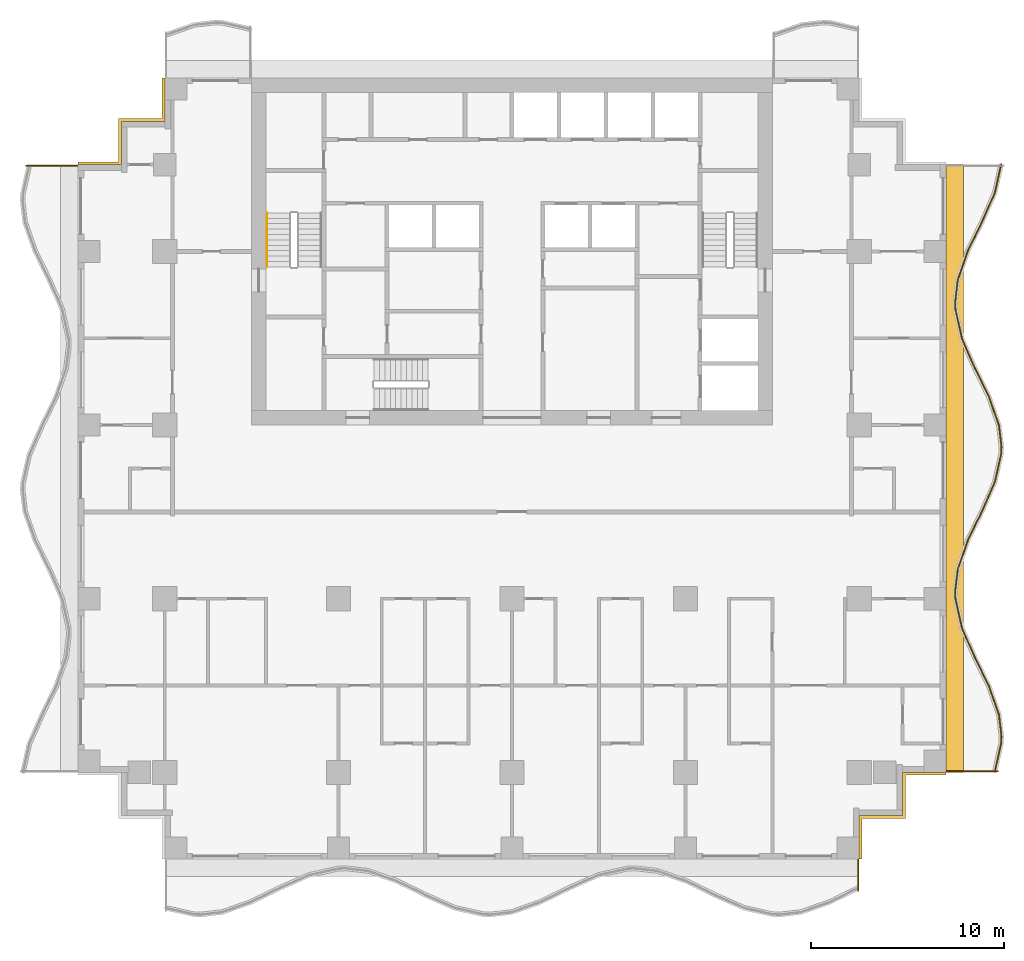
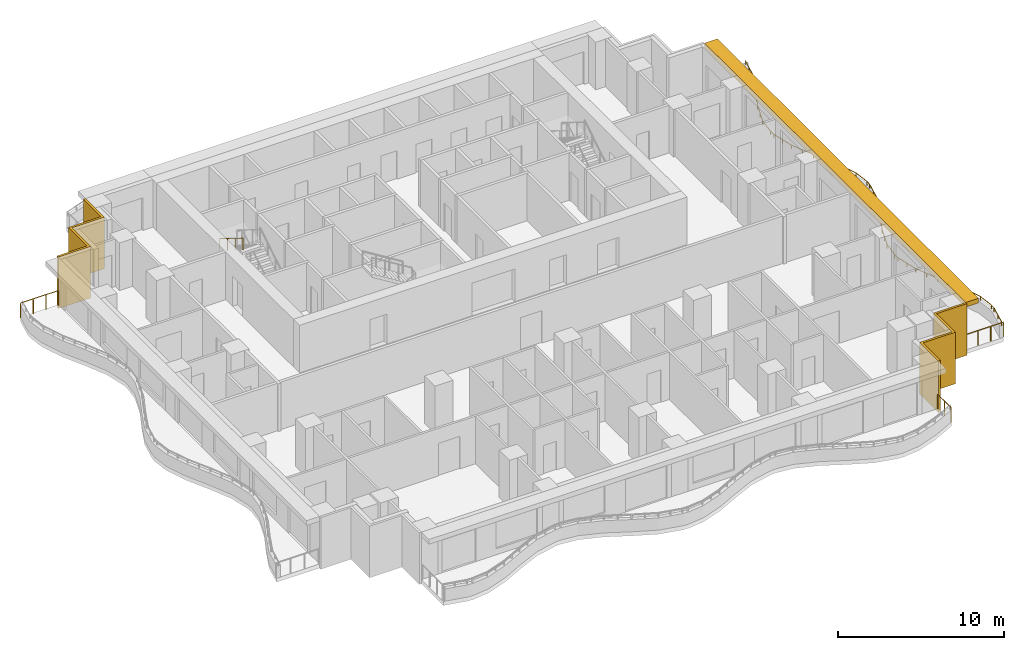
# One storey, part 9 of 10: 5 railings, 3 shading devices.
"""IFC4 building model written with IfcOpenShell, lengths in metres."""

from ifc_helpers import new_model, si_unit, direction, frame, origin, origin_2d, place, context, subcontext, project, spatial, polyline, rectangle, circle, outline, extrude, material, layer, layer_set, type_object, element, save


model = new_model("IFC4")

# Units and contexts
model_context = context("Model", 3, precision=1e-05, world=origin(), true_north=direction((0.0, 1.0)))
body_context = subcontext(model_context, "Body", "Model", "MODEL_VIEW")
ifc_project = project(units=[si_unit("LENGTHUNIT", "METRE"), si_unit("AREAUNIT", "SQUARE_METRE"), si_unit("VOLUMEUNIT", "CUBIC_METRE"), si_unit("PLANEANGLEUNIT", "RADIAN"), si_unit("MASSUNIT", "GRAM", prefix="KILO")], contexts=[model_context])

# Site, building, storey
site_placement = place(None, origin())
site = spatial("IfcSite", under=ifc_project, at=site_placement, CompositionType="ELEMENT")
building_placement = place(site_placement, origin())
building = spatial("IfcBuilding", under=site, at=building_placement, Name="Orbiselva Terraces", CompositionType="ELEMENT")
storey_placement = place(building_placement, frame((0.0, 0.0, 147.8)))
storey = spatial("IfcBuildingStorey", under=building, at=storey_placement, Name="L37", CompositionType="ELEMENT", Elevation=147.8)

# Railings
ifc_material_1 = material(Name="Stainless steel", Category="steel")
railing_type_1 = type_object("IfcRailingType", Name="CORE-HANDRAIL-900", PredefinedType="HANDRAIL", material=ifc_material_1)
railing_1_placement = place(storey_placement, frame((-12.7, 15.5, 2.072727)))
element("IfcRailing", 1, at=railing_1_placement, inside=storey, type_object=railing_type_1, Name="L37 S1 stair handrail 2", PredefinedType="HANDRAIL", context=body_context, shape_type="SweptSolid", body=[
    extrude(circle(Radius=0.024, at=origin_2d()), frame((0.0, 0.0, 0.876), z_axis=(0.0, -0.851088519012, 0.52502222125), x_axis=(1.0, 0.0, 0.0)), (0.0, 0.0, 1.0), 3.289905),
    extrude(circle(Radius=0.021, at=origin_2d()), origin(), (0.0, 0.0, 1.0), 0.852),
    extrude(circle(Radius=0.021, at=origin_2d()), frame((0.0, -0.933333, 0.575758)), (0.0, 0.0, 1.0), 0.852),
    extrude(circle(Radius=0.021, at=origin_2d()), frame((0.0, -1.866667, 1.151515)), (0.0, 0.0, 1.0), 0.852),
    extrude(circle(Radius=0.021, at=origin_2d()), frame((0.0, -2.8, 1.727273)), (0.0, 0.0, 1.0), 0.852),
])
ifc_material_2 = material(Name="Bonded two-ply safety glass balustrade, stainless steel posts", Category="steel")
railing_type_2 = type_object("IfcRailingType", Name="ENV-BALUSTRADE-1200", PredefinedType="BALUSTRADE", material=ifc_material_2)
railing_2_placement = place(storey_placement, frame((25.026563, -13.472623, 0.9)))
element("IfcRailing", 2, at=railing_2_placement, inside=storey, type_object=railing_type_2, Name="Balcony balustrade L37 E", PredefinedType="BALUSTRADE", context=body_context, shape_type="SweptSolid", body=[
    extrude(outline(polyline([(0.028868, 0.0), (0.014434, 0.025), (-0.014434, 0.025), (-0.028868, 0.0), (-0.014434, -0.025), (0.014434, -0.025), (0.028868, 0.0)])), frame((0.0, 0.0, 0.275), z_axis=(0.21901575501, 0.975721322437, 0.0), x_axis=(-0.975721322437, 0.21901575501, 0.0)), (0.0, 0.0, 1.0), 1.525954),
    extrude(outline(polyline([(0.028868, 0.0), (0.014434, 0.025), (-0.014434, 0.025), (-0.028868, 0.0), (-0.014434, -0.025), (0.014434, -0.025), (0.028868, 0.0)])), frame((0.334208, 1.488906, 0.275), z_axis=(0.039364150694, 0.999224931454, 0.0), x_axis=(-0.999224931454, 0.039364150694, 0.0)), (0.0, 0.0, 1.0), 0.354206),
    extrude(outline(polyline([(0.028868, 0.0), (0.014434, 0.025), (-0.014434, 0.025), (-0.028868, 0.0), (-0.014434, -0.025), (0.014434, -0.025), (0.028868, 0.0)])), frame((0.348151, 1.842837, 0.275), z_axis=(-0.115481264762, 0.993309658409, 0.0), x_axis=(-0.993309658409, -0.115481264762, 0.0)), (0.0, 0.0, 1.0), 1.10902),
    extrude(outline(polyline([(0.028868, 0.0), (0.014434, 0.025), (-0.014434, 0.025), (-0.028868, 0.0), (-0.014434, -0.025), (0.014434, -0.025), (0.028868, 0.0)])), frame((0.22008, 2.944437, 0.275), z_axis=(-0.330024754707, 0.943972277814, 0.0), x_axis=(-0.943972277814, -0.330024754707, 0.0)), (0.0, 0.0, 1.0), 1.567807),
    extrude(outline(polyline([(0.028868, 0.0), (0.014434, 0.025), (-0.014434, 0.025), (-0.028868, 0.0), (-0.014434, -0.025), (0.014434, -0.025), (0.028868, 0.0)])), frame((-0.297335, 4.424403, 0.275), z_axis=(-0.438811978768, 0.89857890432, 0.0), x_axis=(-0.89857890432, -0.438811978768, 0.0)), (0.0, 0.0, 1.0), 1.66438),
    extrude(outline(polyline([(0.028868, 0.0), (0.014434, 0.025), (-0.014434, 0.025), (-0.028868, 0.0), (-0.014434, -0.025), (0.014434, -0.025), (0.028868, 0.0)])), frame((-1.027685, 5.91998, 0.275), z_axis=(-0.403150874148, 0.915133527237, 0.0), x_axis=(-0.915133527237, -0.403150874148, 0.0)), (0.0, 0.0, 1.0), 1.653736),
    extrude(outline(polyline([(0.028868, 0.0), (0.014434, 0.025), (-0.014434, 0.025), (-0.028868, 0.0), (-0.014434, -0.025), (0.014434, -0.025), (0.028868, 0.0)])), frame((-1.69439, 7.433369, 0.275), z_axis=(-0.219015500924, 0.97572137947, 0.0), x_axis=(-0.97572137947, -0.219015500924, 0.0)), (0.0, 0.0, 1.0), 1.560867),
    extrude(outline(polyline([(0.028868, 0.0), (0.014434, 0.025), (-0.014434, 0.025), (-0.028868, 0.0), (-0.014434, -0.025), (0.014434, -0.025), (0.028868, 0.0)])), frame((-2.036244, 8.95634, 0.275), z_axis=(-0.03936915532, 0.999224734286, 0.0), x_axis=(-0.999224734286, -0.03936915532, 0.0)), (0.0, 0.0, 1.0), 0.396376),
    extrude(outline(polyline([(0.028868, 0.0), (0.014434, 0.025), (-0.014434, 0.025), (-0.028868, 0.0), (-0.014434, -0.025), (0.014434, -0.025), (0.028868, 0.0)])), frame((-2.051849, 9.352409, 0.275), z_axis=(0.115482182324, 0.993309551734, 0.0), x_axis=(-0.993309551734, 0.115482182324, 0.0)), (0.0, 0.0, 1.0), 1.156135),
    extrude(outline(polyline([(0.028868, 0.0), (0.014434, 0.025), (-0.014434, 0.025), (-0.028868, 0.0), (-0.014434, -0.025), (0.014434, -0.025), (0.028868, 0.0)])), frame((-1.918336, 10.500809, 0.275), z_axis=(0.330024597479, 0.943972332783, 0.0), x_axis=(-0.943972332783, 0.330024597479, 0.0)), (0.0, 0.0, 1.0), 1.610253),
    extrude(outline(polyline([(0.028868, 0.0), (0.014434, 0.025), (-0.014434, 0.025), (-0.028868, 0.0), (-0.014434, -0.025), (0.014434, -0.025), (0.028868, 0.0)])), frame((-1.386913, 12.020843, 0.275), z_axis=(0.438812048596, 0.898578870221, 0.0), x_axis=(-0.898578870221, 0.438812048596, 0.0)), (0.0, 0.0, 1.0), 1.674225),
    extrude(outline(polyline([(0.028868, 0.0), (0.014434, 0.025), (-0.014434, 0.025), (-0.028868, 0.0), (-0.014434, -0.025), (0.014434, -0.025), (0.028868, 0.0)])), frame((-0.652243, 13.525266, 0.275), z_axis=(0.403151245402, 0.915133363686, 0.0), x_axis=(-0.915133363686, 0.403151245402, 0.0)), (0.0, 0.0, 1.0), 1.624475),
    extrude(outline(polyline([(0.028868, 0.0), (0.014434, 0.025), (-0.014434, 0.025), (-0.028868, 0.0), (-0.014434, -0.025), (0.014434, -0.025), (0.028868, 0.0)])), frame((0.002666, 15.011877, 0.275), z_axis=(0.219015740235, 0.975721325753, 0.0), x_axis=(-0.975721325753, 0.219015740235, 0.0)), (0.0, 0.0, 1.0), 1.513782),
    extrude(outline(polyline([(0.028868, 0.0), (0.014434, 0.025), (-0.014434, 0.025), (-0.028868, 0.0), (-0.014434, -0.025), (0.014434, -0.025), (0.028868, 0.0)])), frame((0.334208, 16.488906, 0.275), z_axis=(0.039364150694, 0.999224931454, 0.0), x_axis=(-0.999224931454, 0.039364150694, 0.0)), (0.0, 0.0, 1.0), 0.354206),
    extrude(outline(polyline([(0.028868, 0.0), (0.014434, 0.025), (-0.014434, 0.025), (-0.028868, 0.0), (-0.014434, -0.025), (0.014434, -0.025), (0.028868, 0.0)])), frame((0.348151, 16.842837, 0.275), z_axis=(-0.115481264762, 0.993309658409, 0.0), x_axis=(-0.993309658409, -0.115481264762, 0.0)), (0.0, 0.0, 1.0), 1.10902),
    extrude(outline(polyline([(0.028868, 0.0), (0.014434, 0.025), (-0.014434, 0.025), (-0.028868, 0.0), (-0.014434, -0.025), (0.014434, -0.025), (0.028868, 0.0)])), frame((0.22008, 17.944437, 0.275), z_axis=(-0.330024754707, 0.943972277814, 0.0), x_axis=(-0.943972277814, -0.330024754707, 0.0)), (0.0, 0.0, 1.0), 1.567807),
    extrude(outline(polyline([(0.028868, 0.0), (0.014434, 0.025), (-0.014434, 0.025), (-0.028868, 0.0), (-0.014434, -0.025), (0.014434, -0.025), (0.028868, 0.0)])), frame((-0.297335, 19.424403, 0.275), z_axis=(-0.438811978768, 0.89857890432, 0.0), x_axis=(-0.89857890432, -0.438811978768, 0.0)), (0.0, 0.0, 1.0), 1.66438),
    extrude(outline(polyline([(0.028868, 0.0), (0.014434, 0.025), (-0.014434, 0.025), (-0.028868, 0.0), (-0.014434, -0.025), (0.014434, -0.025), (0.028868, 0.0)])), frame((-1.027685, 20.91998, 0.275), z_axis=(-0.403150874148, 0.915133527237, 0.0), x_axis=(-0.915133527237, -0.403150874148, 0.0)), (0.0, 0.0, 1.0), 1.653736),
    extrude(outline(polyline([(0.028868, 0.0), (0.014434, 0.025), (-0.014434, 0.025), (-0.028868, 0.0), (-0.014434, -0.025), (0.014434, -0.025), (0.028868, 0.0)])), frame((-1.69439, 22.433369, 0.275), z_axis=(-0.219015500924, 0.97572137947, 0.0), x_axis=(-0.97572137947, -0.219015500924, 0.0)), (0.0, 0.0, 1.0), 1.560867),
    extrude(outline(polyline([(0.028868, 0.0), (0.014434, 0.025), (-0.014434, 0.025), (-0.028868, 0.0), (-0.014434, -0.025), (0.014434, -0.025), (0.028868, 0.0)])), frame((-2.036244, 23.95634, 0.275), z_axis=(-0.03936915532, 0.999224734286, 0.0), x_axis=(-0.999224734286, -0.03936915532, 0.0)), (0.0, 0.0, 1.0), 0.396376),
    extrude(outline(polyline([(0.028868, 0.0), (0.014434, 0.025), (-0.014434, 0.025), (-0.028868, 0.0), (-0.014434, -0.025), (0.014434, -0.025), (0.028868, 0.0)])), frame((-2.051849, 24.352409, 0.275), z_axis=(0.115482182324, 0.993309551734, 0.0), x_axis=(-0.993309551734, 0.115482182324, 0.0)), (0.0, 0.0, 1.0), 1.156135),
    extrude(outline(polyline([(0.028868, 0.0), (0.014434, 0.025), (-0.014434, 0.025), (-0.028868, 0.0), (-0.014434, -0.025), (0.014434, -0.025), (0.028868, 0.0)])), frame((-1.918336, 25.500809, 0.275), z_axis=(0.330024597479, 0.943972332783, 0.0), x_axis=(-0.943972332783, 0.330024597479, 0.0)), (0.0, 0.0, 1.0), 1.610253),
    extrude(outline(polyline([(0.028868, 0.0), (0.014434, 0.025), (-0.014434, 0.025), (-0.028868, 0.0), (-0.014434, -0.025), (0.014434, -0.025), (0.028868, 0.0)])), frame((-1.386913, 27.020843, 0.275), z_axis=(0.438812048596, 0.898578870221, 0.0), x_axis=(-0.898578870221, 0.438812048596, 0.0)), (0.0, 0.0, 1.0), 1.674225),
    extrude(outline(polyline([(0.028868, 0.0), (0.014434, 0.025), (-0.014434, 0.025), (-0.028868, 0.0), (-0.014434, -0.025), (0.014434, -0.025), (0.028868, 0.0)])), frame((-0.652243, 28.525266, 0.275), z_axis=(0.403151245402, 0.915133363686, 0.0), x_axis=(-0.915133363686, 0.403151245402, 0.0)), (0.0, 0.0, 1.0), 1.624475),
    extrude(outline(polyline([(0.028868, 0.0), (0.014434, 0.025), (-0.014434, 0.025), (-0.028868, 0.0), (-0.014434, -0.025), (0.014434, -0.025), (0.028868, 0.0)])), frame((0.002666, 30.011877, 0.275), z_axis=(0.219015602994, 0.975721356559, 0.0), x_axis=(-0.975721356559, 0.219015602994, 0.0)), (0.0, 0.0, 1.0), 1.525152),
    extrude(rectangle(XDim=0.05, YDim=0.05, at=origin_2d()), origin(), (0.0, 0.0, 1.0), 0.25),
    extrude(rectangle(XDim=0.05, YDim=0.05, at=origin_2d()), frame((0.167104, 0.744453, 0.0)), (0.0, 0.0, 1.0), 0.25),
    extrude(rectangle(XDim=0.05, YDim=0.05, at=origin_2d()), frame((0.334208, 1.488906, 0.0)), (0.0, 0.0, 1.0), 0.25),
    extrude(rectangle(XDim=0.05, YDim=0.05, at=origin_2d()), frame((0.348151, 1.842837, 0.0)), (0.0, 0.0, 1.0), 0.25),
    extrude(rectangle(XDim=0.05, YDim=0.05, at=origin_2d()), frame((0.22008, 2.944437, 0.0)), (0.0, 0.0, 1.0), 0.25),
    extrude(rectangle(XDim=0.05, YDim=0.05, at=origin_2d()), frame((-0.038628, 3.68442, 0.0)), (0.0, 0.0, 1.0), 0.25),
    extrude(rectangle(XDim=0.05, YDim=0.05, at=origin_2d()), frame((-0.297335, 4.424403, 0.0)), (0.0, 0.0, 1.0), 0.25),
    extrude(rectangle(XDim=0.05, YDim=0.05, at=origin_2d()), frame((-0.66251, 5.172192, 0.0)), (0.0, 0.0, 1.0), 0.25),
    extrude(rectangle(XDim=0.05, YDim=0.05, at=origin_2d()), frame((-1.027685, 5.91998, 0.0)), (0.0, 0.0, 1.0), 0.25),
    extrude(rectangle(XDim=0.05, YDim=0.05, at=origin_2d()), frame((-1.361037, 6.676675, 0.0)), (0.0, 0.0, 1.0), 0.25),
    extrude(rectangle(XDim=0.05, YDim=0.05, at=origin_2d()), frame((-1.69439, 7.433369, 0.0)), (0.0, 0.0, 1.0), 0.25),
    extrude(rectangle(XDim=0.05, YDim=0.05, at=origin_2d()), frame((-1.865317, 8.194855, 0.0)), (0.0, 0.0, 1.0), 0.25),
    extrude(rectangle(XDim=0.05, YDim=0.05, at=origin_2d()), frame((-2.036244, 8.95634, 0.0)), (0.0, 0.0, 1.0), 0.25),
    extrude(rectangle(XDim=0.05, YDim=0.05, at=origin_2d()), frame((-2.051849, 9.352409, 0.0)), (0.0, 0.0, 1.0), 0.25),
    extrude(rectangle(XDim=0.05, YDim=0.05, at=origin_2d()), frame((-1.918336, 10.500809, 0.0)), (0.0, 0.0, 1.0), 0.25),
    extrude(rectangle(XDim=0.05, YDim=0.05, at=origin_2d()), frame((-1.652624, 11.260826, 0.0)), (0.0, 0.0, 1.0), 0.25),
    extrude(rectangle(XDim=0.05, YDim=0.05, at=origin_2d()), frame((-1.386913, 12.020843, 0.0)), (0.0, 0.0, 1.0), 0.25),
    extrude(rectangle(XDim=0.05, YDim=0.05, at=origin_2d()), frame((-1.019578, 12.773054, 0.0)), (0.0, 0.0, 1.0), 0.25),
    extrude(rectangle(XDim=0.05, YDim=0.05, at=origin_2d()), frame((-0.652243, 13.525266, 0.0)), (0.0, 0.0, 1.0), 0.25),
    extrude(rectangle(XDim=0.05, YDim=0.05, at=origin_2d()), frame((-0.324788, 14.268572, 0.0)), (0.0, 0.0, 1.0), 0.25),
    extrude(rectangle(XDim=0.05, YDim=0.05, at=origin_2d()), frame((0.002666, 15.011877, 0.0)), (0.0, 0.0, 1.0), 0.25),
    extrude(rectangle(XDim=0.05, YDim=0.05, at=origin_2d()), frame((0.168437, 15.750392, 0.0)), (0.0, 0.0, 1.0), 0.25),
    extrude(rectangle(XDim=0.05, YDim=0.05, at=origin_2d()), frame((0.334208, 16.488906, 0.0)), (0.0, 0.0, 1.0), 0.25),
    extrude(rectangle(XDim=0.05, YDim=0.05, at=origin_2d()), frame((0.348151, 16.842837, 0.0)), (0.0, 0.0, 1.0), 0.25),
    extrude(rectangle(XDim=0.05, YDim=0.05, at=origin_2d()), frame((0.22008, 17.944437, 0.0)), (0.0, 0.0, 1.0), 0.25),
    extrude(rectangle(XDim=0.05, YDim=0.05, at=origin_2d()), frame((-0.038628, 18.68442, 0.0)), (0.0, 0.0, 1.0), 0.25),
    extrude(rectangle(XDim=0.05, YDim=0.05, at=origin_2d()), frame((-0.297335, 19.424403, 0.0)), (0.0, 0.0, 1.0), 0.25),
    extrude(rectangle(XDim=0.05, YDim=0.05, at=origin_2d()), frame((-0.66251, 20.172192, 0.0)), (0.0, 0.0, 1.0), 0.25),
    extrude(rectangle(XDim=0.05, YDim=0.05, at=origin_2d()), frame((-1.027685, 20.91998, 0.0)), (0.0, 0.0, 1.0), 0.25),
    extrude(rectangle(XDim=0.05, YDim=0.05, at=origin_2d()), frame((-1.361037, 21.676674, 0.0)), (0.0, 0.0, 1.0), 0.25),
    extrude(rectangle(XDim=0.05, YDim=0.05, at=origin_2d()), frame((-1.69439, 22.433369, 0.0)), (0.0, 0.0, 1.0), 0.25),
    extrude(rectangle(XDim=0.05, YDim=0.05, at=origin_2d()), frame((-1.865317, 23.194854, 0.0)), (0.0, 0.0, 1.0), 0.25),
    extrude(rectangle(XDim=0.05, YDim=0.05, at=origin_2d()), frame((-2.036244, 23.95634, 0.0)), (0.0, 0.0, 1.0), 0.25),
    extrude(rectangle(XDim=0.05, YDim=0.05, at=origin_2d()), frame((-2.051849, 24.352409, 0.0)), (0.0, 0.0, 1.0), 0.25),
    extrude(rectangle(XDim=0.05, YDim=0.05, at=origin_2d()), frame((-1.918336, 25.500809, 0.0)), (0.0, 0.0, 1.0), 0.25),
    extrude(rectangle(XDim=0.05, YDim=0.05, at=origin_2d()), frame((-1.652624, 26.260826, 0.0)), (0.0, 0.0, 1.0), 0.25),
    extrude(rectangle(XDim=0.05, YDim=0.05, at=origin_2d()), frame((-1.386913, 27.020843, 0.0)), (0.0, 0.0, 1.0), 0.25),
    extrude(rectangle(XDim=0.05, YDim=0.05, at=origin_2d()), frame((-1.019578, 27.773054, 0.0)), (0.0, 0.0, 1.0), 0.25),
    extrude(rectangle(XDim=0.05, YDim=0.05, at=origin_2d()), frame((-0.652243, 28.525266, 0.0)), (0.0, 0.0, 1.0), 0.25),
    extrude(rectangle(XDim=0.05, YDim=0.05, at=origin_2d()), frame((-0.324788, 29.268572, 0.0)), (0.0, 0.0, 1.0), 0.25),
    extrude(rectangle(XDim=0.05, YDim=0.05, at=origin_2d()), frame((0.002666, 30.011877, 0.0)), (0.0, 0.0, 1.0), 0.25),
    extrude(rectangle(XDim=0.05, YDim=0.05, at=origin_2d()), frame((0.169682, 30.755938, 0.0)), (0.0, 0.0, 1.0), 0.25),
    extrude(rectangle(XDim=0.05, YDim=0.05, at=origin_2d()), frame((0.336698, 31.5, 0.0)), (0.0, 0.0, 1.0), 0.25),
])
ifc_material_3 = material(Name="Stainless steel rail and posts", Category="steel")
railing_type_3 = type_object("IfcRailingType", Name="ENV-GUARD-1105", PredefinedType="BALUSTRADE", material=ifc_material_3)
railing_3_placement = place(storey_placement, frame((17.94, -19.642123, 0.0)))
element("IfcRailing", 3, at=railing_3_placement, inside=storey, type_object=railing_type_3, Name="Balcony end guard L37 S", PredefinedType="BALUSTRADE", context=body_context, shape_type="SweptSolid", body=[
    extrude(outline(polyline([(0.028868, 0.0), (0.014434, 0.025), (-0.014434, 0.025), (-0.028868, 0.0), (-0.014434, -0.025), (0.014434, -0.025), (0.028868, 0.0)])), frame((0.0, 0.0, 1.08), z_axis=(0.0, 1.0, 0.0), x_axis=(-1.0, 0.0, 0.0)), (0.0, 0.0, 1.0), 1.617123),
    extrude(rectangle(XDim=0.05, YDim=0.05, at=origin_2d()), origin(), (0.0, 0.0, 1.0), 1.055),
    extrude(rectangle(XDim=0.05, YDim=0.05, at=origin_2d()), frame((0.0, 0.808562, 0.0)), (0.0, 0.0, 1.0), 1.055),
    extrude(rectangle(XDim=0.05, YDim=0.05, at=origin_2d()), frame((0.0, 1.617123, 0.0)), (0.0, 0.0, 1.0), 1.055),
])
railing_4_placement = place(storey_placement, frame((25.169584, -13.44, 0.0)))
element("IfcRailing", 4, at=railing_4_placement, inside=storey, type_object=railing_type_3, Name="Balcony end guard L37 E", PredefinedType="BALUSTRADE", context=body_context, shape_type="SweptSolid", body=[
    extrude(outline(polyline([(0.028868, 0.0), (0.014434, 0.025), (-0.014434, 0.025), (-0.028868, 0.0), (-0.014434, -0.025), (0.014434, -0.025), (0.028868, 0.0)])), frame((0.0, 0.0, 1.08), z_axis=(-1.0, 0.0, 0.0), x_axis=(0.0, -1.0, 0.0)), (0.0, 0.0, 1.0), 2.644584),
    extrude(rectangle(XDim=0.05, YDim=0.05, at=origin_2d()), origin(), (0.0, 0.0, 1.0), 1.055),
    extrude(rectangle(XDim=0.05, YDim=0.05, at=origin_2d()), frame((-0.881528, 0.0, 0.0)), (0.0, 0.0, 1.0), 1.055),
    extrude(rectangle(XDim=0.05, YDim=0.05, at=origin_2d()), frame((-1.763056, 0.0, 0.0)), (0.0, 0.0, 1.0), 1.055),
    extrude(rectangle(XDim=0.05, YDim=0.05, at=origin_2d()), frame((-2.644584, 0.0, 0.0)), (0.0, 0.0, 1.0), 1.055),
])
railing_5_placement = place(storey_placement, frame((-25.169584, 17.94, 0.0)))
element("IfcRailing", 5, at=railing_5_placement, inside=storey, type_object=railing_type_3, Name="Balcony end guard L37 W", PredefinedType="BALUSTRADE", context=body_context, shape_type="SweptSolid", body=[
    extrude(outline(polyline([(0.028868, 0.0), (0.014434, 0.025), (-0.014434, 0.025), (-0.028868, 0.0), (-0.014434, -0.025), (0.014434, -0.025), (0.028868, 0.0)])), frame((0.0, 0.0, 1.08), z_axis=(1.0, 0.0, 0.0), x_axis=(0.0, 1.0, 0.0)), (0.0, 0.0, 1.0), 2.644584),
    extrude(rectangle(XDim=0.05, YDim=0.05, at=origin_2d()), origin(), (0.0, 0.0, 1.0), 1.055),
    extrude(rectangle(XDim=0.05, YDim=0.05, at=origin_2d()), frame((0.881528, 0.0, 0.0)), (0.0, 0.0, 1.0), 1.055),
    extrude(rectangle(XDim=0.05, YDim=0.05, at=origin_2d()), frame((1.763056, 0.0, 0.0)), (0.0, 0.0, 1.0), 1.055),
    extrude(rectangle(XDim=0.05, YDim=0.05, at=origin_2d()), frame((2.644584, 0.0, 0.0)), (0.0, 0.0, 1.0), 1.055),
])

# Shading devices
ifc_material_4 = material(Name="Terracotta louvre screen", Category="masonry")
ifc_layer_1 = layer(ifc_material_4, 0.15)
ifc_layer_set_1 = layer_set([ifc_layer_1], Name="Terracotta louvre screen")
shading_device_type_1 = type_object("IfcShadingDeviceType", Name="ENV-SCREEN-150", PredefinedType="USERDEFINED", material=ifc_layer_set_1)
shading_device_1_placement = place(storey_placement, frame((0.0, 0.0, -0.3)))
element("IfcShadingDevice", 6, at=shading_device_1_placement, inside=storey, type_object=shading_device_type_1, Name="Louvre screen L37 NW", ObjectType="SCREEN", PredefinedType="USERDEFINED", context=body_context, shape_type="SweptSolid", body=[
    extrude(outline(polyline([(-18.15, 22.5), (-18.15, 20.4), (-20.4, 20.4), (-20.4, 18.15), (-22.5, 18.15), (-22.5, 18.0), (-20.25, 18.0), (-20.25, 20.25), (-18.0, 20.25), (-18.0, 22.5), (-18.15, 22.5)])), origin(), (0.0, 0.0, 1.0), 3.8),
])
shading_device_2_placement = place(storey_placement, frame((0.0, 0.0, -0.3)))
element("IfcShadingDevice", 7, at=shading_device_2_placement, inside=storey, type_object=shading_device_type_1, Name="Louvre screen L37 SE", ObjectType="SCREEN", PredefinedType="USERDEFINED", context=body_context, shape_type="SweptSolid", body=[
    extrude(outline(polyline([(18.15, -18.0), (18.15, -15.9), (20.4, -15.9), (20.4, -13.65), (22.5, -13.65), (22.5, -13.5), (20.25, -13.5), (20.25, -15.75), (18.0, -15.75), (18.0, -18.0), (18.15, -18.0)])), origin(), (0.0, 0.0, 1.0), 3.8),
])
ifc_material_5 = material(Name="Terracotta baguette sunshade", Category="masonry")
ifc_layer_2 = layer(ifc_material_5, 0.35)
ifc_layer_set_2 = layer_set([ifc_layer_2], Name="Terracotta baguette sunshade")
shading_device_type_2 = type_object("IfcShadingDeviceType", Name="ENV-SUNSHADE-900x350", PredefinedType="USERDEFINED", material=ifc_layer_set_2)
shading_device_3_placement = place(storey_placement, frame((0.0, 0.0, 3.15)))
element("IfcShadingDevice", 8, at=shading_device_3_placement, inside=storey, type_object=shading_device_type_2, Name="Sunshade band L37 E", ObjectType="SUNSHADE", PredefinedType="USERDEFINED", context=body_context, shape_type="SweptSolid", body=[
    extrude(outline(polyline([(23.4, -13.5), (23.4, 18.0), (22.5, 18.0), (22.5, -13.5), (23.4, -13.5)])), origin(), (0.0, 0.0, 1.0), 0.35),
])

save(model, "model.ifc")
